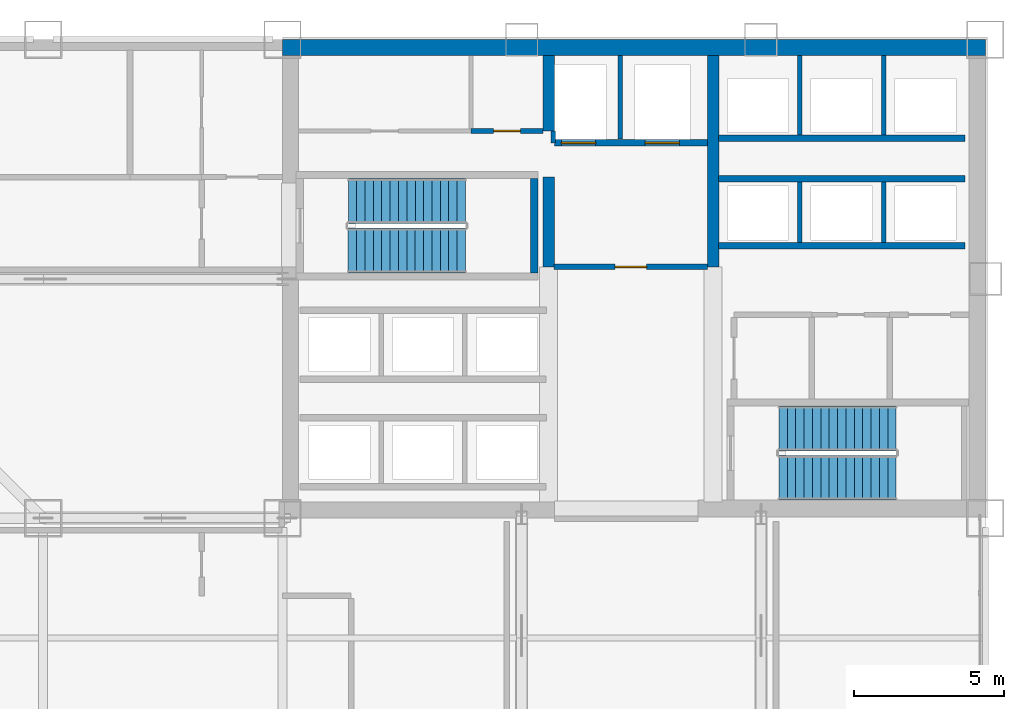
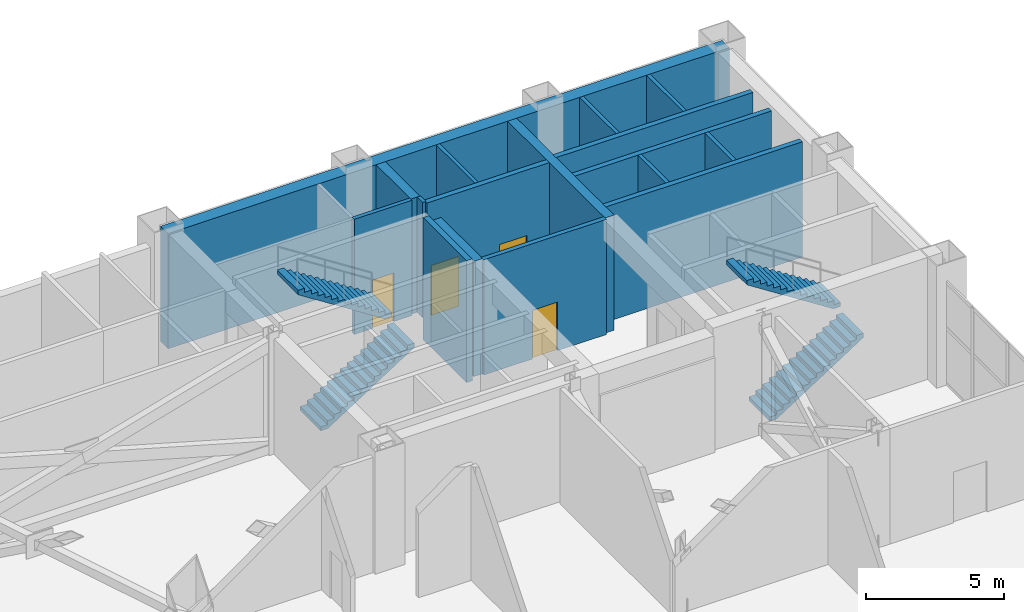
# One storey, part 24 of 26: 17 walls, 4 doors, 4 stair flights, 4 openings, 2 elements without a shape of their own.
"""IFC4 building model written with IfcOpenShell, lengths in metres."""

from ifc_helpers import new_model, si_unit, direction, frame, frame_2d, origin, place, context, subcontext, project, spatial, polyline, rectangle, outline, extrude, material, layer, layer_set, type_object, element, fill, aggregate, save


model = new_model("IFC4")

# Units and contexts
model_context = context("Model", 3, precision=1e-05, world=origin(), true_north=direction((0.0, 1.0)))
body_context = subcontext(model_context, "Body", "Model", "MODEL_VIEW")
ifc_project = project(units=[si_unit("LENGTHUNIT", "METRE"), si_unit("AREAUNIT", "SQUARE_METRE"), si_unit("VOLUMEUNIT", "CUBIC_METRE"), si_unit("PLANEANGLEUNIT", "RADIAN"), si_unit("MASSUNIT", "GRAM", prefix="KILO")], contexts=[model_context])

# Site, building, storey
site_placement = place(None, origin())
site = spatial("IfcSite", under=ifc_project, at=site_placement, CompositionType="ELEMENT")
building_placement = place(site_placement, origin())
building = spatial("IfcBuilding", under=site, at=building_placement, Name="Qianrong Seaharbour Tower", CompositionType="ELEMENT")
storey_placement = place(building_placement, frame((0.0, 0.0, 108.199951171875)))
storey = spatial("IfcBuildingStorey", under=building, at=storey_placement, Name="L26", CompositionType="ELEMENT", Elevation=108.199951171875)

# Walls
ifc_material_1 = material(Name="Concrete C70/85", Category="concrete")
ifc_layer_1 = layer(ifc_material_1, 0.5400390625)
ifc_layer_set_1 = layer_set([ifc_layer_1], Name="Concrete C70/85")
wall_type_1 = type_object("IfcWallType", Name="WALL-CORE-540", PredefinedType="SHEAR", material=ifc_layer_set_1)
wall_1_placement = place(storey_placement, frame((40.5, 51.72998046875, 0.0), z_axis=(0.0, 0.0, 1.0), x_axis=(1.0, 0.0, 0.0)))
element("IfcWall", 1, at=wall_1_placement, inside=storey, type_object=wall_type_1, Name="L26 North Core Shear Wall", PredefinedType="SHEAR", context=body_context, shape_type="SweptSolid", body=[
    extrude(rectangle(XDim=23.5, YDim=0.5400390625, at=frame_2d((11.75, 0.0))), origin(), (0.0, 0.0, 1.0), 5.10009765625),
])
ifc_material_2 = material(Name="Concrete C60/75", Category="concrete")
ifc_layer_2 = layer(ifc_material_2, 0.3798828125)
ifc_layer_set_2 = layer_set([ifc_layer_2], Name="Concrete C60/75")
wall_type_2 = type_object("IfcWallType", Name="WALL-CORE-INT-380", PredefinedType="SHEAR", material=ifc_layer_set_2)
wall_2_placement = place(storey_placement, frame((49.39990234375, 44.39990234375, 0.0), z_axis=(0.0, 0.0, 1.0), x_axis=(0.0, 1.0, 0.0)))
element("IfcWall", 2, at=wall_2_placement, inside=storey, type_object=wall_type_2, Name="L26 Internal Core Shear Wall IW1N1", PredefinedType="SHEAR", context=body_context, shape_type="SweptSolid", body=[
    extrude(rectangle(XDim=3.0, YDim=0.3798828125, at=frame_2d((1.5, 0.0))), origin(), (0.0, 0.0, 1.0), 5.10009765625),
])
wall_3_placement = place(storey_placement, frame((49.39990234375, 48.949951171875, 0.0), z_axis=(0.0, 0.0, 1.0), x_axis=(0.0, 1.0, 0.0)))
element("IfcWall", 3, at=wall_3_placement, inside=storey, type_object=wall_type_2, Name="L26 Internal Core Shear Wall IW1N2", PredefinedType="SHEAR", context=body_context, shape_type="SweptSolid", body=[
    extrude(rectangle(XDim=2.510009765625, YDim=0.3798828125, at=frame_2d((1.2548828125, 0.0))), origin(), (0.0, 0.0, 1.0), 5.10009765625),
])
wall_4_placement = place(storey_placement, frame((54.89990234375, 44.39990234375, 0.0), z_axis=(0.0, 0.0, 1.0), x_axis=(0.0, 1.0, 0.0)))
element("IfcWall", 4, at=wall_4_placement, inside=storey, type_object=wall_type_2, Name="L26 Internal Core Shear Wall IW2N", PredefinedType="SHEAR", context=body_context, shape_type="SweptSolid", body=[
    extrude(rectangle(XDim=7.06005859375, YDim=0.3798828125, at=frame_2d((3.530029296875, 0.0))), origin(), (0.0, 0.0, 1.0), 5.10009765625),
])

# Wall, opening, door
ifc_material_3 = material(Name="Fire-rated acoustic gypsum board partition")
ifc_layer_3 = layer(ifc_material_3, 0.1650390625)
ifc_layer_set_3 = layer_set([ifc_layer_3], Name="Fire-rated acoustic gypsum board partition")
wall_type_3 = type_object("IfcWallType", Name="WALL-CORR-PART-165", PredefinedType="PARTITIONING", material=ifc_layer_set_3)
wall_5_placement = place(storey_placement, frame((46.800048828125, 48.949951171875, 0.0), z_axis=(0.0, 0.0, 1.0), x_axis=(1.0, 0.0, 0.0)))
wall_5 = element("IfcWall", 5, at=wall_5_placement, inside=storey, type_object=wall_type_3, Name="L26 Interior Partition Wall 007", PredefinedType="PARTITIONING", context=body_context, shape_type="SweptSolid", body=[
    extrude(rectangle(XDim=2.41796875, YDim=0.1650390625, at=frame_2d((1.208984375, 0.0))), origin(), (0.0, 0.0, 1.0), 5.10009765625),
])
opening_1_placement = place(wall_5_placement, frame((0.759033203125, 0.0, 0.0)))
opening_1 = element("IfcOpeningElement", 6, at=opening_1_placement, cuts=wall_5, Name="Opening DS-01", PredefinedType="OPENING", context=body_context, shape_type="SweptSolid", body=[
    extrude(rectangle(XDim=0.89990234375, YDim=2.14990234375, at=frame_2d((0.449951171875, 1.074951171875))), frame((0.0, 0.092529296875, 0.0), z_axis=(0.0, -1.0, 0.0), x_axis=(1.0, 0.0, 0.0)), (0.0, 0.0, 1.0), 0.18505859375),
])
ifc_material_4 = material(Name="Acoustic timber and galvanized steel fire door assembly", Category="steel")
door_type_1 = type_object("IfcDoorType", Name="DOOR-STORE-900x2150", OperationType="NOTDEFINED", PredefinedType="DOOR", material=ifc_material_4)
door_1_placement = place(opening_1_placement, origin())
door_1 = element("IfcDoor", 7, at=door_1_placement, inside=storey, type_object=door_type_1, Name="L26 Janitor Store Room Door", OperationType="SINGLE_SWING_RIGHT", OverallHeight=2.14990234375, OverallWidth=0.89990234375, PredefinedType="DOOR", context=body_context, shape_type="SweptSolid", body=[
    extrude(rectangle(XDim=0.89990234375, YDim=2.14990234375, at=frame_2d((0.449951171875, 1.074951171875))), frame((0.0, 0.02490234375, 0.0), z_axis=(0.0, -1.0, 0.0), x_axis=(1.0, 0.0, 0.0)), (0.0, 0.0, 1.0), 0.050048828125),
])
fill(opening_1, door_1)

ifc_material_5 = material(Name="Double fire-rated gypsum board acoustic partition")
ifc_layer_4 = layer(ifc_material_5, 0.18994140625)
ifc_layer_set_4 = layer_set([ifc_layer_4], Name="Double fire-rated gypsum board acoustic partition")
wall_type_4 = type_object("IfcWallType", Name="WALL-FIRE-PART-190", PredefinedType="PARTITIONING", material=ifc_layer_set_4)
wall_6_placement = place(storey_placement, frame((54.718017578125, 44.39990234375, 0.0), z_axis=(0.0, 0.0, 1.0), x_axis=(-1.0, 0.0, 0.0)))
wall_6 = element("IfcWall", 8, at=wall_6_placement, inside=storey, type_object=wall_type_4, Name="L26 Interior Partition Wall 008", PredefinedType="PARTITIONING", context=body_context, shape_type="SweptSolid", body=[
    extrude(rectangle(XDim=5.135986328125, YDim=0.18994140625, at=frame_2d((2.56787109375, 0.0))), origin(), (0.0, 0.0, 1.0), 5.10009765625),
])
opening_2_placement = place(wall_6_placement, frame((2.04296875, 0.0, 0.0)))
opening_2 = element("IfcOpeningElement", 9, at=opening_2_placement, cuts=wall_6, Name="Opening DC-01", PredefinedType="OPENING", context=body_context, shape_type="SweptSolid", body=[
    extrude(rectangle(XDim=1.050048828125, YDim=2.14990234375, at=frame_2d((0.52490234375, 1.074951171875))), frame((0.0, 0.10498046875, 0.0), z_axis=(0.0, -1.0, 0.0), x_axis=(1.0, 0.0, 0.0)), (0.0, 0.0, 1.0), 0.2099609375),
])
door_type_2 = type_object("IfcDoorType", Name="DOOR-CORR-FD60-1050x2150", OperationType="NOTDEFINED", PredefinedType="DOOR", material=ifc_material_4)
door_2_placement = place(opening_2_placement, origin())
door_2 = element("IfcDoor", 10, at=door_2_placement, inside=storey, type_object=door_type_2, Name="L26 Firefighting Lift Lobby Door", OperationType="SINGLE_SWING_LEFT", OverallHeight=2.14990234375, OverallWidth=1.050048828125, PredefinedType="DOOR", context=body_context, shape_type="SweptSolid", body=[
    extrude(rectangle(XDim=1.050048828125, YDim=2.14990234375, at=frame_2d((0.52490234375, 1.074951171875))), frame((0.0, 0.02490234375, 0.0), z_axis=(0.0, -1.0, 0.0), x_axis=(1.0, 0.0, 0.0)), (0.0, 0.0, 1.0), 0.050048828125),
])
fill(opening_2, door_2)

# Walls
ifc_material_6 = material(Name="Fire-rated gypsum board on steel studs", Category="steel")
ifc_layer_5 = layer(ifc_material_6, 0.14990234375)
ifc_layer_set_5 = layer_set([ifc_layer_5], Name="Fire-rated gypsum board on steel studs")
wall_type_5 = type_object("IfcWallType", Name="WALL-SHAFT-DIV-150", PredefinedType="PARTITIONING", material=ifc_layer_set_5)
wall_7_placement = place(storey_placement, frame((51.800048828125, 48.669921875, 0.0), z_axis=(0.0, 0.0, 1.0), x_axis=(0.0, 1.0, 0.0)))
element("IfcWall", 11, at=wall_7_placement, inside=storey, type_object=wall_type_5, Name="L26 Firefighting Lift Shaft Divider Wall", PredefinedType="PARTITIONING", context=body_context, shape_type="SweptSolid", body=[
    extrude(rectangle(XDim=2.7900390625, YDim=0.14990234375, at=frame_2d((1.39501953125, 0.0))), origin(), (0.0, 0.0, 1.0), 5.10009765625),
])
wall_8_placement = place(storey_placement, frame((49.550048828125, 48.550048828125, 0.0), z_axis=(0.0, 0.0, 1.0), x_axis=(0.0, 1.0, 0.0)))
element("IfcWall", 12, at=wall_8_placement, inside=storey, type_object=wall_type_5, Name="L26 Firefighting Lift Shaft West Return Wall", PredefinedType="PARTITIONING", context=body_context, shape_type="SweptSolid", body=[
    extrude(rectangle(XDim=0.39990234375, YDim=0.14990234375, at=frame_2d((0.199951171875, 0.0))), origin(), (0.0, 0.0, 1.0), 5.10009765625),
])
for number, where, z_axis, x_axis, name in (
    (13, (57.800048828125, 45.2099609375, 0.0), (0.0, 0.0, 1.0), (0.0, 1.0, 0.0), "L26 P3 Lift Hoistway Divider 2"),
    (14, (60.60009765625, 45.2099609375, 0.0), (0.0, 0.0, 1.0), (0.0, 1.0, 0.0), "L26 P3 Lift Hoistway Divider 3"),
):
    element("IfcWall", number, at=place(storey_placement, frame(where, z_axis=z_axis, x_axis=x_axis)), inside=storey, type_object=wall_type_5, Name=name, PredefinedType="PARTITIONING", context=body_context, shape_type="SweptSolid", body=[
        extrude(rectangle(XDim=2.030029296875, YDim=0.14990234375, at=frame_2d((1.01513671875, 0.0))), origin(), (0.0, 0.0, 1.0), 5.10009765625),
    ])
for number, where, z_axis, x_axis, name in (
    (15, (57.800048828125, 48.81005859375, 0.0), (0.0, 0.0, 1.0), (0.0, 1.0, 0.0), "L26 P4 Lift Hoistway Divider 2"),
    (16, (60.60009765625, 48.81005859375, 0.0), (0.0, 0.0, 1.0), (0.0, 1.0, 0.0), "L26 P4 Lift Hoistway Divider 3"),
):
    element("IfcWall", number, at=place(storey_placement, frame(where, z_axis=z_axis, x_axis=x_axis)), inside=storey, type_object=wall_type_5, Name=name, PredefinedType="PARTITIONING", context=body_context, shape_type="SweptSolid", body=[
        extrude(rectangle(XDim=2.64990234375, YDim=0.14990234375, at=frame_2d((1.324951171875, 0.0))), origin(), (0.0, 0.0, 1.0), 5.10009765625),
    ])

# Wall, openings, doors
ifc_layer_6 = layer(ifc_material_6, 0.219970703125)
ifc_layer_set_6 = layer_set([ifc_layer_6], Name="Fire-rated gypsum board on steel studs")
wall_type_6 = type_object("IfcWallType", Name="WALL-SHAFT-GYP220", PredefinedType="PARTITIONING", material=ifc_layer_set_6)
wall_9_placement = place(storey_placement, frame((54.7099609375, 48.550048828125, 0.0), z_axis=(0.0, 0.0, 1.0), x_axis=(-1.0, 0.0, 0.0)))
wall_9 = element("IfcWall", 17, at=wall_9_placement, inside=storey, type_object=wall_type_6, Name="L26 Firefighting Lift Shaft Front Wall", PredefinedType="PARTITIONING", context=body_context, shape_type="SweptSolid", body=[
    extrude(rectangle(XDim=5.119873046875, YDim=0.219970703125, at=frame_2d((2.56005859375, 0.0))), origin(), (0.0, 0.0, 1.0), 5.10009765625),
])
opening_3_placement = place(wall_9_placement, frame((3.735107421875, 0.0, 0.0)))
opening_3 = element("IfcOpeningElement", 18, at=opening_3_placement, cuts=wall_9, Name="Opening LD-01", PredefinedType="OPENING", context=body_context, shape_type="SweptSolid", body=[
    extrude(rectangle(XDim=1.14990234375, YDim=2.199951171875, at=frame_2d((0.574951171875, 1.10009765625))), frame((0.0, 0.1201171875, 0.0), z_axis=(0.0, -1.0, 0.0), x_axis=(1.0, 0.0, 0.0)), (0.0, 0.0, 1.0), 0.239990234375),
])
opening_4_placement = place(wall_9_placement, frame((0.93505859375, 0.0, 0.0)))
opening_4 = element("IfcOpeningElement", 19, at=opening_4_placement, cuts=wall_9, Name="Opening LD-01", PredefinedType="OPENING", context=body_context, shape_type="SweptSolid", body=[
    extrude(rectangle(XDim=1.14990234375, YDim=2.199951171875, at=frame_2d((0.574951171875, 1.10009765625))), frame((0.0, 0.1201171875, 0.0), z_axis=(0.0, -1.0, 0.0), x_axis=(1.0, 0.0, 0.0)), (0.0, 0.0, 1.0), 0.239990234375),
])
ifc_material_7 = material(Name="Stainless steel SUS316L bi-parting lift landing door", Category="steel")
door_type_3 = type_object("IfcDoorType", Name="DOOR-LIFT-FF-1150x2200", OperationType="DOUBLE_DOOR_SLIDING", PredefinedType="DOOR", material=ifc_material_7)
door_3_placement = place(opening_3_placement, origin())
door_3 = element("IfcDoor", 20, at=door_3_placement, inside=storey, type_object=door_type_3, Name="L26 FL-1 Firefighting Lift Landing Door", OperationType="DOUBLE_DOOR_SLIDING", OverallHeight=2.199951171875, OverallWidth=1.14990234375, PredefinedType="DOOR", context=body_context, shape_type="SweptSolid", body=[
    extrude(rectangle(XDim=1.14990234375, YDim=2.199951171875, at=frame_2d((0.574951171875, 1.10009765625))), frame((0.0, 0.02490234375, 0.0), z_axis=(0.0, -1.0, 0.0), x_axis=(1.0, 0.0, 0.0)), (0.0, 0.0, 1.0), 0.050048828125),
])
fill(opening_3, door_3)
door_4_placement = place(opening_4_placement, origin())
door_4 = element("IfcDoor", 21, at=door_4_placement, inside=storey, type_object=door_type_3, Name="L26 FL-2 Firefighting Lift Landing Door", OperationType="DOUBLE_DOOR_SLIDING", OverallHeight=2.199951171875, OverallWidth=1.14990234375, PredefinedType="DOOR", context=body_context, shape_type="SweptSolid", body=[
    extrude(rectangle(XDim=1.14990234375, YDim=2.199951171875, at=frame_2d((0.574951171875, 1.10009765625))), frame((0.0, 0.02490234375, 0.0), z_axis=(0.0, -1.0, 0.0), x_axis=(1.0, 0.0, 0.0)), (0.0, 0.0, 1.0), 0.050048828125),
])
fill(opening_4, door_4)

# Walls
for number, where, z_axis, x_axis, name in (
    (22, (63.320068359375, 45.10009765625, 0.0), (0.0, 0.0, 1.0), (-1.0, 0.0, 0.0), "L26 P3 Lift Hoistway Front Wall"),
    (23, (55.080078125, 47.35009765625, 0.0), (0.0, 0.0, 1.0), (1.0, 0.0, 0.0), "L26 P3 Lift Hoistway Back Wall"),
    (24, (63.320068359375, 48.699951171875, 0.0), (0.0, 0.0, 1.0), (-1.0, 0.0, 0.0), "L26 P4 Lift Hoistway Front Wall"),
):
    element("IfcWall", number, at=place(storey_placement, frame(where, z_axis=z_axis, x_axis=x_axis)), inside=storey, type_object=wall_type_6, Name=name, PredefinedType="PARTITIONING", context=body_context, shape_type="SweptSolid", body=[
        extrude(rectangle(XDim=8.239990234375, YDim=0.219970703125, at=frame_2d((4.1201171875, 0.0))), origin(), (0.0, 0.0, 1.0), 5.10009765625),
    ])
ifc_material_8 = material(Name="Concrete C50/60", Category="concrete")
ifc_layer_7 = layer(ifc_material_8, 0.239990234375)
ifc_layer_set_7 = layer_set([ifc_layer_7], Name="Concrete C50/60")
wall_type_7 = type_object("IfcWallType", Name="WALL-SHAFT-RC240", PredefinedType="SOLIDWALL", material=ifc_layer_set_7)
wall_10_placement = place(storey_placement, frame((48.919921875, 44.199951171875, 0.0), z_axis=(0.0, 0.0, 1.0), x_axis=(0.0, 1.0, 0.0)))
element("IfcWall", 25, at=wall_10_placement, inside=storey, type_object=wall_type_7, Name="L26 ST-1 Structural Stair Core Wall E", PredefinedType="SOLIDWALL", context=body_context, shape_type="SweptSolid", body=[
    extrude(rectangle(XDim=3.150146484375, YDim=0.239990234375, at=frame_2d((1.5751953125, 0.0))), origin(), (0.0, 0.0, 1.0), 5.400146484375),
])

# Stair, stair flights
stair_type = type_object("IfcStairType", Name="STAIR-DOGLEG-1500-R30", PredefinedType="HALF_TURN_STAIR", material=ifc_material_8)
stair_1_placement = place(storey_placement, origin())
stair_1 = element("IfcStair", 26, at=stair_1_placement, inside=storey, type_object=stair_type, Name="L26 Protected Escape Stair ST-1", PredefinedType="HALF_TURN_STAIR")
stair_flight_type = type_object("IfcStairFlightType", Name="FLIGHT-STR-1500-R30", PredefinedType="STRAIGHT", material=ifc_material_8)
stair_flight_1_placement = place(storey_placement, frame((42.699951171875, 44.949951171875, 0.0), z_axis=(0.0, 0.0, 1.0), x_axis=(1.0, 0.0, 0.0)))
stair_flight_1 = element("IfcStairFlight", 27, at=stair_flight_1_placement, type_object=stair_flight_type, Name="ST-1 flight 1", NumberOfRisers=15, NumberOfTreads=14, PredefinedType="STRAIGHT", RiserHeight=0.18, TreadLength=0.28, context=body_context, shape_type="SweptSolid", body=[
    extrude(outline(polyline([(0.0, 0.0), (0.0, 0.179931640625), (0.280029296875, 0.179931640625), (0.280029296875, 0.360107421875), (0.56005859375, 0.360107421875), (0.56005859375, 0.5400390625), (0.840087890625, 0.5400390625), (0.840087890625, 0.719970703125), (1.1201171875, 0.719970703125), (1.1201171875, 0.89990234375), (1.39990234375, 0.89990234375), (1.39990234375, 1.080078125), (1.679931640625, 1.080078125), (1.679931640625, 1.260009765625), (1.9599609375, 1.260009765625), (1.9599609375, 1.43994140625), (2.239990234375, 1.43994140625), (2.239990234375, 1.6201171875), (2.52001953125, 1.6201171875), (2.52001953125, 1.800048828125), (2.800048828125, 1.800048828125), (2.800048828125, 1.97998046875), (3.080078125, 1.97998046875), (3.080078125, 2.159912109375), (3.360107421875, 2.159912109375), (3.360107421875, 2.340087890625), (3.639892578125, 2.340087890625), (3.639892578125, 2.52001953125), (3.919921875, 2.52001953125), (3.919921875, 2.699951171875), (3.919921875, 2.329833984375), (0.295654296875, 0.0), (0.0, 0.0)])), frame((0.0, 0.75, 0.0), z_axis=(0.0, -1.0, 0.0), x_axis=(1.0, 0.0, 0.0)), (0.0, 0.0, 1.0), 1.5),
])
stair_flight_2_placement = place(storey_placement, frame((46.6201171875, 46.60009765625, 2.699951171875), z_axis=(0.0, 0.0, 1.0), x_axis=(-1.0, 0.0, 0.0)))
stair_flight_2 = element("IfcStairFlight", 28, at=stair_flight_2_placement, type_object=stair_flight_type, Name="ST-1 flight 2", NumberOfRisers=15, NumberOfTreads=14, PredefinedType="STRAIGHT", RiserHeight=0.18, TreadLength=0.28, context=body_context, shape_type="SweptSolid", body=[
    extrude(outline(polyline([(0.0, 0.0), (0.0, 0.179931640625), (0.280029296875, 0.179931640625), (0.280029296875, 0.360107421875), (0.56005859375, 0.360107421875), (0.56005859375, 0.5400390625), (0.840087890625, 0.5400390625), (0.840087890625, 0.719970703125), (1.1201171875, 0.719970703125), (1.1201171875, 0.89990234375), (1.39990234375, 0.89990234375), (1.39990234375, 1.080078125), (1.679931640625, 1.080078125), (1.679931640625, 1.260009765625), (1.9599609375, 1.260009765625), (1.9599609375, 1.43994140625), (2.239990234375, 1.43994140625), (2.239990234375, 1.6201171875), (2.52001953125, 1.6201171875), (2.52001953125, 1.800048828125), (2.800048828125, 1.800048828125), (2.800048828125, 1.97998046875), (3.080078125, 1.97998046875), (3.080078125, 2.159912109375), (3.360107421875, 2.159912109375), (3.360107421875, 2.340087890625), (3.639892578125, 2.340087890625), (3.639892578125, 2.52001953125), (3.919921875, 2.52001953125), (3.919921875, 2.699951171875), (3.919921875, 2.329833984375), (0.295654296875, 0.0), (0.0, 0.0)])), frame((0.0, 0.75, 0.0), z_axis=(0.0, -1.0, 0.0), x_axis=(1.0, 0.0, 0.0)), (0.0, 0.0, 1.0), 1.5),
])
aggregate(stair_1, [stair_flight_1, stair_flight_2])

stair_2_placement = place(storey_placement, origin())
stair_2 = element("IfcStair", 29, at=stair_2_placement, inside=storey, type_object=stair_type, Name="L26 Protected Escape Stair ST-2", PredefinedType="HALF_TURN_STAIR")
stair_flight_3_placement = place(storey_placement, frame((57.10009765625, 37.35009765625, 0.0), z_axis=(0.0, 0.0, 1.0), x_axis=(1.0, 0.0, 0.0)))
stair_flight_3 = element("IfcStairFlight", 30, at=stair_flight_3_placement, type_object=stair_flight_type, Name="ST-2 flight 1", NumberOfRisers=15, NumberOfTreads=14, PredefinedType="STRAIGHT", RiserHeight=0.18, TreadLength=0.28, context=body_context, shape_type="SweptSolid", body=[
    extrude(outline(polyline([(0.0, 0.0), (0.0, 0.179931640625), (0.280029296875, 0.179931640625), (0.280029296875, 0.360107421875), (0.56005859375, 0.360107421875), (0.56005859375, 0.5400390625), (0.840087890625, 0.5400390625), (0.840087890625, 0.719970703125), (1.1201171875, 0.719970703125), (1.1201171875, 0.89990234375), (1.39990234375, 0.89990234375), (1.39990234375, 1.080078125), (1.679931640625, 1.080078125), (1.679931640625, 1.260009765625), (1.9599609375, 1.260009765625), (1.9599609375, 1.43994140625), (2.239990234375, 1.43994140625), (2.239990234375, 1.6201171875), (2.52001953125, 1.6201171875), (2.52001953125, 1.800048828125), (2.800048828125, 1.800048828125), (2.800048828125, 1.97998046875), (3.080078125, 1.97998046875), (3.080078125, 2.159912109375), (3.360107421875, 2.159912109375), (3.360107421875, 2.340087890625), (3.639892578125, 2.340087890625), (3.639892578125, 2.52001953125), (3.919921875, 2.52001953125), (3.919921875, 2.699951171875), (3.919921875, 2.329833984375), (0.295654296875, 0.0), (0.0, 0.0)])), frame((0.0, 0.75, 0.0), z_axis=(0.0, -1.0, 0.0), x_axis=(1.0, 0.0, 0.0)), (0.0, 0.0, 1.0), 1.5),
])
stair_flight_4_placement = place(storey_placement, frame((61.02001953125, 39.0, 2.699951171875), z_axis=(0.0, 0.0, 1.0), x_axis=(-1.0, 0.0, 0.0)))
stair_flight_4 = element("IfcStairFlight", 31, at=stair_flight_4_placement, type_object=stair_flight_type, Name="ST-2 flight 2", NumberOfRisers=15, NumberOfTreads=14, PredefinedType="STRAIGHT", RiserHeight=0.18, TreadLength=0.28, context=body_context, shape_type="SweptSolid", body=[
    extrude(outline(polyline([(0.0, 0.0), (0.0, 0.179931640625), (0.280029296875, 0.179931640625), (0.280029296875, 0.360107421875), (0.56005859375, 0.360107421875), (0.56005859375, 0.5400390625), (0.840087890625, 0.5400390625), (0.840087890625, 0.719970703125), (1.1201171875, 0.719970703125), (1.1201171875, 0.89990234375), (1.39990234375, 0.89990234375), (1.39990234375, 1.080078125), (1.679931640625, 1.080078125), (1.679931640625, 1.260009765625), (1.9599609375, 1.260009765625), (1.9599609375, 1.43994140625), (2.239990234375, 1.43994140625), (2.239990234375, 1.6201171875), (2.52001953125, 1.6201171875), (2.52001953125, 1.800048828125), (2.800048828125, 1.800048828125), (2.800048828125, 1.97998046875), (3.080078125, 1.97998046875), (3.080078125, 2.159912109375), (3.360107421875, 2.159912109375), (3.360107421875, 2.340087890625), (3.639892578125, 2.340087890625), (3.639892578125, 2.52001953125), (3.919921875, 2.52001953125), (3.919921875, 2.699951171875), (3.919921875, 2.329833984375), (0.295654296875, 0.0), (0.0, 0.0)])), frame((0.0, 0.75, 0.0), z_axis=(0.0, -1.0, 0.0), x_axis=(1.0, 0.0, 0.0)), (0.0, 0.0, 1.0), 1.5),
])
aggregate(stair_2, [stair_flight_3, stair_flight_4])

save(model, "model.ifc")
